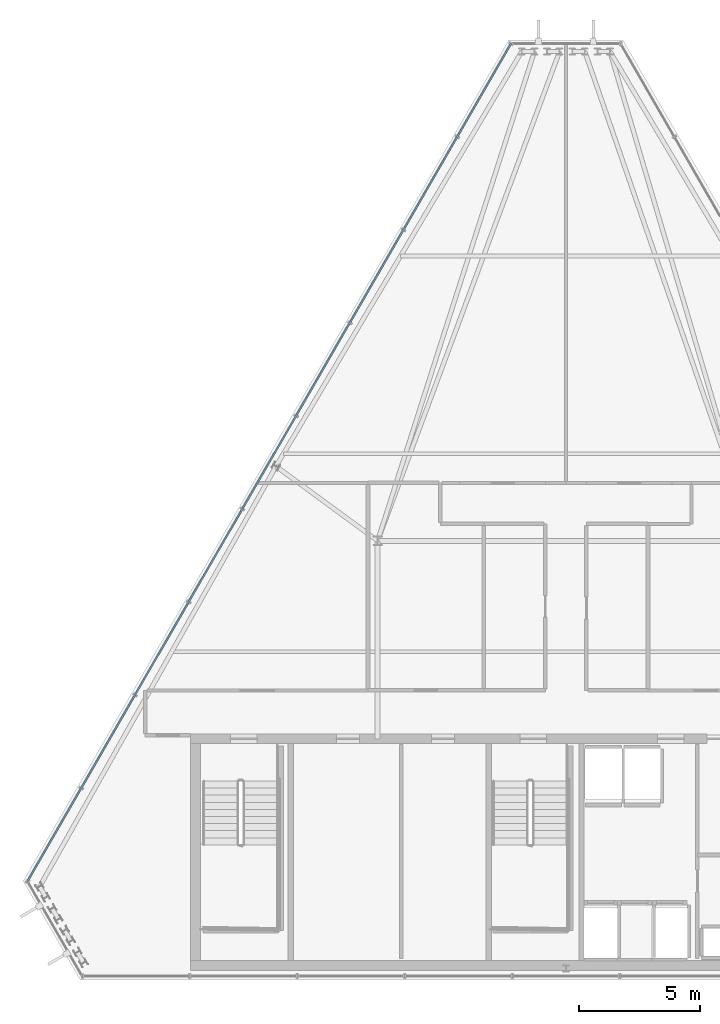
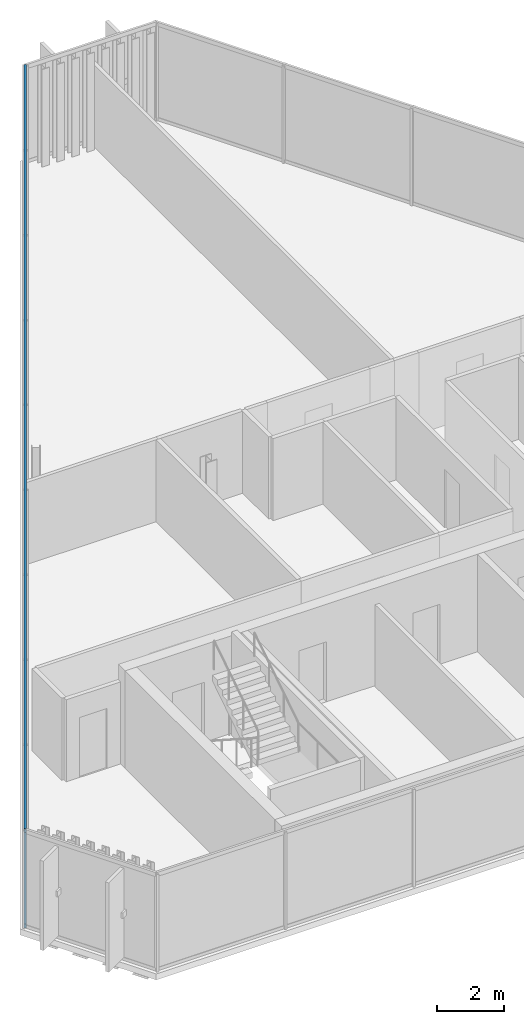
# One storey, part 12 of 32: 2 members, 1 element without a shape of its own.
"""IFC4 building model written with IfcOpenShell, lengths in metres."""

import ifcopenshell
import ifcopenshell.guid

model = None  # the IFC model being written
_history = None  # IfcOwnerHistory: only IFC2X3 demands one
_inside = {}  # id of a spatial element -> (the spatial element, [elements in it])
_under = {}  # id of a project, library or spatial element -> (it, [spatial elements below it])
_declared = {}  # id of a project -> (the project, [libraries it declares])
_typed = {}  # id of a type object -> (the type object, [elements of that type])
_made_of = {}  # id of a material, layer set ... -> (it, [elements and type objects made of it])


def new_model(schema):
    """Start an empty IFC model of exactly this schema.

    Asked for "IFC4X3", IfcOpenShell would pick the latest addendum, in which some entities
    have other attributes; the version numbers below select the first issue.
    IFC2X3 requires an IfcOwnerHistory on every rooted entity: one is made here for all.
    """
    global model, _history
    if schema == "IFC4X3":
        model = ifcopenshell.file(schema_version=(4, 3, 0, 0))
    else:
        model = ifcopenshell.file(schema=schema)
    _inside.clear()
    _under.clear()
    _declared.clear()
    _typed.clear()
    _made_of.clear()
    _history = None
    if model.schema == "IFC2X3":
        org = make("IfcOrganization", Name="unknown")
        user = make(
            "IfcPersonAndOrganization",
            ThePerson=make("IfcPerson", FamilyName="unknown"),
            TheOrganization=org,
        )
        app = make(
            "IfcApplication",
            ApplicationDeveloper=org,
            Version="unknown",
            ApplicationFullName="unknown",
            ApplicationIdentifier="unknown",
        )
        _history = make(
            "IfcOwnerHistory",
            OwningUser=user,
            OwningApplication=app,
            ChangeAction="ADDED",
            CreationDate=0,
        )
    return model


def make(cls, **values):
    """One entity of the class cls with the attributes given. An attribute that is None is left unset."""
    return model.create_entity(
        cls, **{name: value for name, value in values.items() if value is not None}
    )


def rooted(cls, **values):
    """An entity with a GlobalId (a new one), such as an element, a storey or a relation."""
    return make(cls, GlobalId=ifcopenshell.guid.new(), OwnerHistory=_history, **values)


def si_unit(unit_type, name, prefix=None):
    """IfcSIUnit, for example si_unit("LENGTHUNIT", "METRE", prefix="MILLI")."""
    return make("IfcSIUnit", UnitType=unit_type, Prefix=prefix, Name=name)


def assignment(units):
    """IfcUnitAssignment: the units of a project."""
    return None if units is None else make("IfcUnitAssignment", Units=units)


def point(xyz):
    """IfcCartesianPoint."""
    return None if xyz is None else make("IfcCartesianPoint", Coordinates=xyz)


def direction(xyz):
    """IfcDirection."""
    return None if xyz is None else make("IfcDirection", DirectionRatios=xyz)


def frame(location, z_axis=None, x_axis=None):
    """IfcAxis2Placement3D, a coordinate frame: its origin and axes. An axis left out is left unset."""
    return make(
        "IfcAxis2Placement3D",
        Location=point(location),
        Axis=direction(z_axis),
        RefDirection=direction(x_axis),
    )


def frame_2d(location, x_axis=None):
    """IfcAxis2Placement2D, a coordinate frame in the plane: its origin and x axis."""
    return make(
        "IfcAxis2Placement2D", Location=point(location), RefDirection=direction(x_axis)
    )


def origin():
    """The frame at (0, 0, 0) with its axes left unset."""
    return frame((0.0, 0.0, 0.0))


def origin_2d():
    """The frame at (0, 0) in the plane with its x axis left unset."""
    return frame_2d((0.0, 0.0))


def place(relative_to, where):
    """IfcLocalPlacement: puts the frame where relative to a parent placement (None: the world)."""
    return make(
        "IfcLocalPlacement", PlacementRelTo=relative_to, RelativePlacement=where
    )


def context(
    kind, dimensions, precision=None, world=None, true_north=None, identifier=None
):
    """IfcGeometricRepresentationContext, for example the 3D "Model" context."""
    return make(
        "IfcGeometricRepresentationContext",
        ContextIdentifier=identifier,
        ContextType=kind,
        CoordinateSpaceDimension=dimensions,
        Precision=precision,
        WorldCoordinateSystem=world,
        TrueNorth=true_north,
    )


def subcontext(parent, identifier, kind, view, scale=None):
    """IfcGeometricRepresentationSubContext, for example "Body" below "Model"."""
    return make(
        "IfcGeometricRepresentationSubContext",
        ContextIdentifier=identifier,
        ContextType=kind,
        ParentContext=parent,
        TargetScale=scale,
        TargetView=view,
    )


def project(units=None, contexts=None):
    """IfcProject with its units and contexts."""
    return rooted(
        "IfcProject",
        Name="project",
        RepresentationContexts=contexts,
        UnitsInContext=assignment(units),
    )


def spatial(cls, under=None, at=None, **own):
    """A site, building, storey or space (cls), placed at a placement, below another one or the project."""
    s = rooted(cls, ObjectPlacement=at, **own)
    if under is not None:
        _under.setdefault(under.id(), (under, []))[1].append(s)
    return s


def profile(cls, at=None, kind="AREA", **sizes):
    """A parametric profile (cls). Its sizes go by their IFC names, for example OverallWidth=200.0."""
    return make(cls, ProfileType=kind, Position=at, **sizes)


def hollow_rectangle(**sizes):
    """IfcRectangleHollowProfileDef."""
    return profile("IfcRectangleHollowProfileDef", **sizes)


def extrude(swept, where, along, depth):
    """IfcExtrudedAreaSolid: the profile swept, set in the frame where, extruded along a direction by depth."""
    return make(
        "IfcExtrudedAreaSolid",
        SweptArea=swept,
        Position=where,
        ExtrudedDirection=direction(along),
        Depth=depth,
    )


def shape(context_of_items, identifier, shape_type, items):
    """IfcShapeRepresentation: the items that make up one representation, for example the "Body"."""
    return make(
        "IfcShapeRepresentation",
        ContextOfItems=context_of_items,
        RepresentationIdentifier=identifier,
        RepresentationType=shape_type,
        Items=items,
    )


def material(Name=None, Category=None):
    """IfcMaterial."""
    return make("IfcMaterial", Name=Name, Category=Category)


def layer(
    of_material, thickness, ventilated=None, Name=None, Category=None, Priority=None
):
    """IfcMaterialLayer: one layer of a wall or slab, of a material (None: an air gap)."""
    return make(
        "IfcMaterialLayer",
        Material=of_material,
        LayerThickness=thickness,
        IsVentilated=ventilated,
        Name=Name,
        Category=Category,
        Priority=Priority,
    )


def layer_set(layers, Name=None):
    """IfcMaterialLayerSet."""
    return make("IfcMaterialLayerSet", MaterialLayers=layers, LayerSetName=Name)


def material_profile(
    of_material, cross_section, Name=None, Category=None, Priority=None
):
    """IfcMaterialProfile: a cross section and its material."""
    return make(
        "IfcMaterialProfile",
        Name=Name,
        Material=of_material,
        Profile=cross_section,
        Priority=Priority,
        Category=Category,
    )


def profile_set(profiles, Name=None, composite=None):
    """IfcMaterialProfileSet."""
    return make(
        "IfcMaterialProfileSet",
        Name=Name,
        MaterialProfiles=profiles,
        CompositeProfile=composite,
    )


def made_of(thing, what):
    """Note that an element or type object is made of a material, layer set ...; save() writes the relation."""
    if what is not None:
        _made_of.setdefault(what.id(), (what, []))[1].append(thing)
    return thing


def type_object(cls, material=None, **own):
    """A type object (cls), such as IfcWallType, which elements share."""
    return made_of(rooted(cls, **own), material)


def element(
    cls,
    number,
    at=None,
    inside=None,
    cuts=None,
    type_object=None,
    material=None,
    context=None,
    identifier="Body",
    shape_type=None,
    held_by="IfcProductDefinitionShape",
    body=None,
    shapes=None,
    **own,
):
    """One element of the class cls, such as IfcWall. Its Tag is "e" and its number.

    at: its placement. inside: the storey or other place that contains it. cuts: it is an
    opening in that element (IfcRelVoidsElement). A single representation is given by context,
    identifier, shape_type and body (its items); several are given by shapes. held_by: the class
    of the entity that holds the representations. save() writes the other relations.
    """
    e = rooted(cls, Tag="e%d" % number, ObjectPlacement=at, **own)
    if body is not None:
        shapes = [shape(context, identifier, shape_type, body)]
    if shapes is not None:
        e.Representation = make(held_by, Representations=shapes)
    if inside is not None:
        _inside.setdefault(inside.id(), (inside, []))[1].append(e)
    if cuts is not None:
        rooted(
            "IfcRelVoidsElement", RelatingBuildingElement=cuts, RelatedOpeningElement=e
        )
    if type_object is not None:
        _typed.setdefault(type_object.id(), (type_object, []))[1].append(e)
    return made_of(e, material)


def aggregate(whole, parts):
    """IfcRelAggregates: a whole, such as a stair, and the parts it consists of."""
    return rooted("IfcRelAggregates", RelatingObject=whole, RelatedObjects=parts)


def save(model, path):
    """Write the relations noted so far, then the file.

    IfcRelAggregates (storeys below a building ...), IfcRelContainedInSpatialStructure (elements
    in a storey), IfcRelDefinesByType, IfcRelAssociatesMaterial and IfcRelDeclares: one each for
    every whole, place, type object, material and project.
    """
    for whole, parts in _under.values():
        aggregate(whole, parts)
    for where, things in _inside.values():
        rooted(
            "IfcRelContainedInSpatialStructure",
            RelatedElements=things,
            RelatingStructure=where,
        )
    for kind, things in _typed.values():
        rooted("IfcRelDefinesByType", RelatedObjects=things, RelatingType=kind)
    for what, things in _made_of.values():
        rooted("IfcRelAssociatesMaterial", RelatedObjects=things, RelatingMaterial=what)
    for by, libraries in _declared.values():
        rooted("IfcRelDeclares", RelatingContext=by, RelatedDefinitions=libraries)
    model.write(path)


model = new_model("IFC4")

# Units and contexts
model_context = context("Model", 3, precision=1e-05, world=origin(), true_north=direction((0.0, 1.0)))
body_context = subcontext(model_context, "Body", "Model", "MODEL_VIEW")
ifc_project = project(units=[si_unit("LENGTHUNIT", "METRE"), si_unit("AREAUNIT", "SQUARE_METRE"), si_unit("VOLUMEUNIT", "CUBIC_METRE"), si_unit("PLANEANGLEUNIT", "RADIAN"), si_unit("MASSUNIT", "GRAM", prefix="KILO")], contexts=[model_context])

# Site, building, storey
site_placement = place(None, origin())
site = spatial("IfcSite", under=ifc_project, at=site_placement, CompositionType="ELEMENT")
building_placement = place(site_placement, origin())
building = spatial("IfcBuilding", under=site, at=building_placement, Name="Ndaravel Arena Tower", CompositionType="ELEMENT")
storey_placement = place(building_placement, frame((0.0, 0.0, 287.10009765625)))
storey = spatial("IfcBuildingStorey", under=building, at=storey_placement, Name="L70", CompositionType="ELEMENT", Elevation=287.10009765625)

# Curtain wall, members
ifc_material_1 = material(Name="Aluminium", Category="aluminium")
ifc_layer = layer(ifc_material_1, 0.179931640625)
ifc_layer_set = layer_set([ifc_layer], Name="Aluminium")
curtain_wall_type = type_object("IfcCurtainWallType", Name="CW-SYS-03", PredefinedType="NOTDEFINED", material=ifc_layer_set)
curtain_wall_placement = place(storey_placement, origin())
curtain_wall = element("IfcCurtainWall", 1, at=curtain_wall_placement, inside=storey, type_object=curtain_wall_type, Name="L70 Faceted Crystal Curtain Wall CW-L70-E05", PredefinedType="NOTDEFINED")
ifc_material_2 = material(Name="Aluminium", Category="aluminium")
ifc_material_profile = material_profile(ifc_material_2, hollow_rectangle(XDim=0.074951171875, YDim=0.14990234375, WallThickness=0.00390625, at=origin_2d()), Name="CW TRANSOM 75x150x4")
ifc_profile_set = profile_set([ifc_material_profile], Name="Aluminium")
member_type = type_object("IfcMemberType", Name="MEM-CW-TRN150", PredefinedType="USERDEFINED", material=ifc_profile_set)
member_1_placement = place(storey_placement, frame((39.7275390625, 43.797607421875, 0.039794921875), z_axis=(-0.499998114738, -0.866026492238, 0.0), x_axis=(0.866026492238, -0.499998114738, 0.0)))
member_1 = element("IfcMember", 2, at=member_1_placement, type_object=member_type, Name="CW-L70-E05 Transom 01", ObjectType="TRANSOM", PredefinedType="USERDEFINED", context=body_context, shape_type="SweptSolid", body=[
    extrude(hollow_rectangle(XDim=0.074951171875, YDim=0.14990234375, WallThickness=0.00390625, at=origin_2d()), origin(), (0.0, 0.0, 1.0), 40.070068359375),
])
member_2_placement = place(storey_placement, frame((39.7275390625, 43.797607421875, 3.539794921875), z_axis=(-0.499998114738, -0.866026492238, 0.0), x_axis=(0.866026492238, -0.499998114738, 0.0)))
member_2 = element("IfcMember", 3, at=member_2_placement, type_object=member_type, Name="CW-L70-E05 Transom 02", ObjectType="TRANSOM", PredefinedType="USERDEFINED", context=body_context, shape_type="SweptSolid", body=[
    extrude(hollow_rectangle(XDim=0.074951171875, YDim=0.14990234375, WallThickness=0.00390625, at=origin_2d()), origin(), (0.0, 0.0, 1.0), 40.070068359375),
])
aggregate(curtain_wall, [member_1, member_2])

save(model, "model.ifc")
